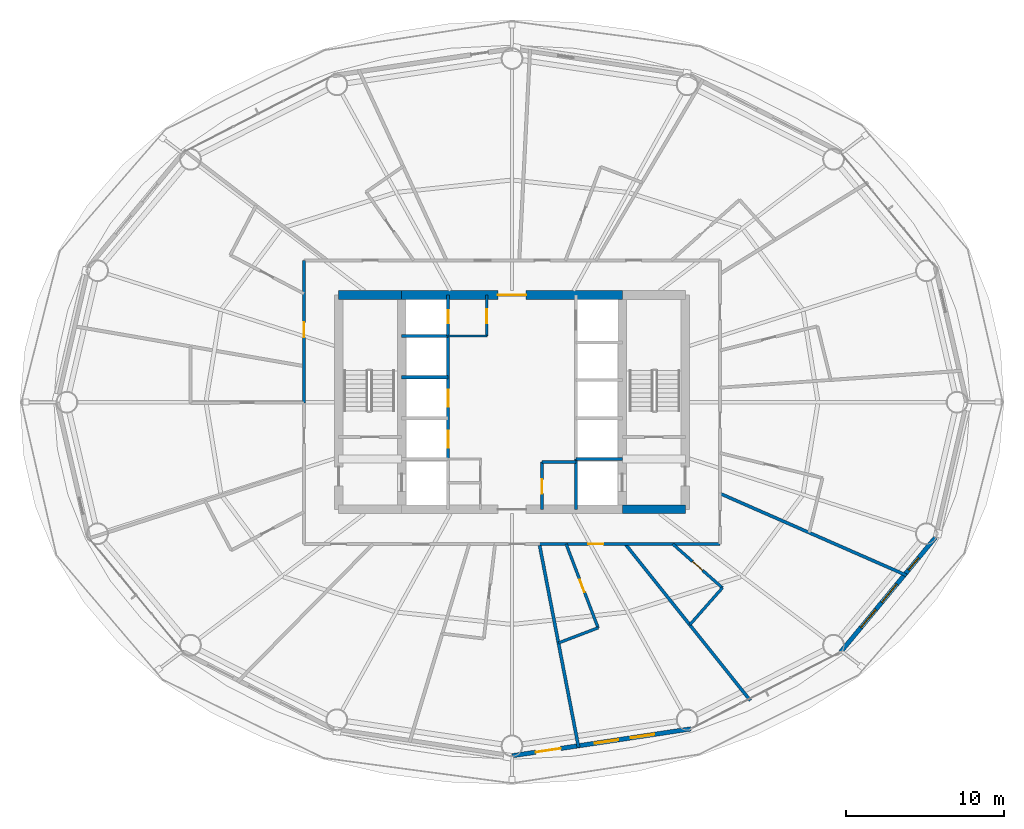
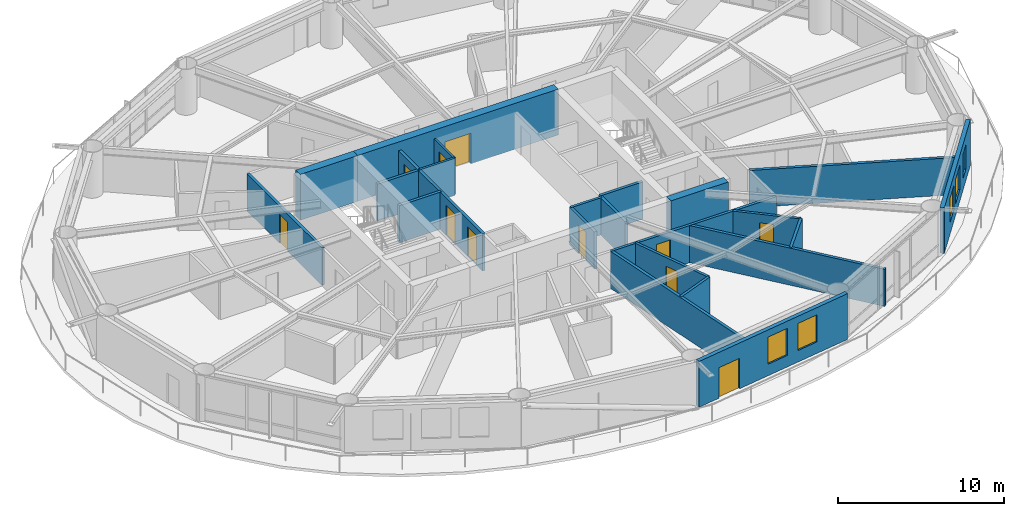
# One storey, part 19 of 24: 24 walls, 11 doors, 5 windows, 16 openings.
"""IFC4 building model written with IfcOpenShell, lengths in metres."""

import ifcopenshell
import ifcopenshell.guid

model = None  # the IFC model being written
_history = None  # IfcOwnerHistory: only IFC2X3 demands one
_inside = {}  # id of a spatial element -> (the spatial element, [elements in it])
_under = {}  # id of a project, library or spatial element -> (it, [spatial elements below it])
_declared = {}  # id of a project -> (the project, [libraries it declares])
_typed = {}  # id of a type object -> (the type object, [elements of that type])
_made_of = {}  # id of a material, layer set ... -> (it, [elements and type objects made of it])


def new_model(schema):
    """Start an empty IFC model of exactly this schema.

    Asked for "IFC4X3", IfcOpenShell would pick the latest addendum, in which some entities
    have other attributes; the version numbers below select the first issue.
    IFC2X3 requires an IfcOwnerHistory on every rooted entity: one is made here for all.
    """
    global model, _history
    if schema == "IFC4X3":
        model = ifcopenshell.file(schema_version=(4, 3, 0, 0))
    else:
        model = ifcopenshell.file(schema=schema)
    _inside.clear()
    _under.clear()
    _declared.clear()
    _typed.clear()
    _made_of.clear()
    _history = None
    if model.schema == "IFC2X3":
        org = make("IfcOrganization", Name="unknown")
        user = make(
            "IfcPersonAndOrganization",
            ThePerson=make("IfcPerson", FamilyName="unknown"),
            TheOrganization=org,
        )
        app = make(
            "IfcApplication",
            ApplicationDeveloper=org,
            Version="unknown",
            ApplicationFullName="unknown",
            ApplicationIdentifier="unknown",
        )
        _history = make(
            "IfcOwnerHistory",
            OwningUser=user,
            OwningApplication=app,
            ChangeAction="ADDED",
            CreationDate=0,
        )
    return model


def make(cls, **values):
    """One entity of the class cls with the attributes given. An attribute that is None is left unset."""
    return model.create_entity(
        cls, **{name: value for name, value in values.items() if value is not None}
    )


def rooted(cls, **values):
    """An entity with a GlobalId (a new one), such as an element, a storey or a relation."""
    return make(cls, GlobalId=ifcopenshell.guid.new(), OwnerHistory=_history, **values)


def si_unit(unit_type, name, prefix=None):
    """IfcSIUnit, for example si_unit("LENGTHUNIT", "METRE", prefix="MILLI")."""
    return make("IfcSIUnit", UnitType=unit_type, Prefix=prefix, Name=name)


def assignment(units):
    """IfcUnitAssignment: the units of a project."""
    return None if units is None else make("IfcUnitAssignment", Units=units)


def point(xyz):
    """IfcCartesianPoint."""
    return None if xyz is None else make("IfcCartesianPoint", Coordinates=xyz)


def direction(xyz):
    """IfcDirection."""
    return None if xyz is None else make("IfcDirection", DirectionRatios=xyz)


def frame(location, z_axis=None, x_axis=None):
    """IfcAxis2Placement3D, a coordinate frame: its origin and axes. An axis left out is left unset."""
    return make(
        "IfcAxis2Placement3D",
        Location=point(location),
        Axis=direction(z_axis),
        RefDirection=direction(x_axis),
    )


def frame_2d(location, x_axis=None):
    """IfcAxis2Placement2D, a coordinate frame in the plane: its origin and x axis."""
    return make(
        "IfcAxis2Placement2D", Location=point(location), RefDirection=direction(x_axis)
    )


def origin():
    """The frame at (0, 0, 0) with its axes left unset."""
    return frame((0.0, 0.0, 0.0))


def place(relative_to, where):
    """IfcLocalPlacement: puts the frame where relative to a parent placement (None: the world)."""
    return make(
        "IfcLocalPlacement", PlacementRelTo=relative_to, RelativePlacement=where
    )


def context(
    kind, dimensions, precision=None, world=None, true_north=None, identifier=None
):
    """IfcGeometricRepresentationContext, for example the 3D "Model" context."""
    return make(
        "IfcGeometricRepresentationContext",
        ContextIdentifier=identifier,
        ContextType=kind,
        CoordinateSpaceDimension=dimensions,
        Precision=precision,
        WorldCoordinateSystem=world,
        TrueNorth=true_north,
    )


def subcontext(parent, identifier, kind, view, scale=None):
    """IfcGeometricRepresentationSubContext, for example "Body" below "Model"."""
    return make(
        "IfcGeometricRepresentationSubContext",
        ContextIdentifier=identifier,
        ContextType=kind,
        ParentContext=parent,
        TargetScale=scale,
        TargetView=view,
    )


def project(units=None, contexts=None):
    """IfcProject with its units and contexts."""
    return rooted(
        "IfcProject",
        Name="project",
        RepresentationContexts=contexts,
        UnitsInContext=assignment(units),
    )


def spatial(cls, under=None, at=None, **own):
    """A site, building, storey or space (cls), placed at a placement, below another one or the project."""
    s = rooted(cls, ObjectPlacement=at, **own)
    if under is not None:
        _under.setdefault(under.id(), (under, []))[1].append(s)
    return s


def profile(cls, at=None, kind="AREA", **sizes):
    """A parametric profile (cls). Its sizes go by their IFC names, for example OverallWidth=200.0."""
    return make(cls, ProfileType=kind, Position=at, **sizes)


def rectangle(**sizes):
    """IfcRectangleProfileDef."""
    return profile("IfcRectangleProfileDef", **sizes)


def extrude(swept, where, along, depth):
    """IfcExtrudedAreaSolid: the profile swept, set in the frame where, extruded along a direction by depth."""
    return make(
        "IfcExtrudedAreaSolid",
        SweptArea=swept,
        Position=where,
        ExtrudedDirection=direction(along),
        Depth=depth,
    )


def shape(context_of_items, identifier, shape_type, items):
    """IfcShapeRepresentation: the items that make up one representation, for example the "Body"."""
    return make(
        "IfcShapeRepresentation",
        ContextOfItems=context_of_items,
        RepresentationIdentifier=identifier,
        RepresentationType=shape_type,
        Items=items,
    )


def material(Name=None, Category=None):
    """IfcMaterial."""
    return make("IfcMaterial", Name=Name, Category=Category)


def layer(
    of_material, thickness, ventilated=None, Name=None, Category=None, Priority=None
):
    """IfcMaterialLayer: one layer of a wall or slab, of a material (None: an air gap)."""
    return make(
        "IfcMaterialLayer",
        Material=of_material,
        LayerThickness=thickness,
        IsVentilated=ventilated,
        Name=Name,
        Category=Category,
        Priority=Priority,
    )


def layer_set(layers, Name=None):
    """IfcMaterialLayerSet."""
    return make("IfcMaterialLayerSet", MaterialLayers=layers, LayerSetName=Name)


def made_of(thing, what):
    """Note that an element or type object is made of a material, layer set ...; save() writes the relation."""
    if what is not None:
        _made_of.setdefault(what.id(), (what, []))[1].append(thing)
    return thing


def type_object(cls, material=None, **own):
    """A type object (cls), such as IfcWallType, which elements share."""
    return made_of(rooted(cls, **own), material)


def element(
    cls,
    number,
    at=None,
    inside=None,
    cuts=None,
    type_object=None,
    material=None,
    context=None,
    identifier="Body",
    shape_type=None,
    held_by="IfcProductDefinitionShape",
    body=None,
    shapes=None,
    **own,
):
    """One element of the class cls, such as IfcWall. Its Tag is "e" and its number.

    at: its placement. inside: the storey or other place that contains it. cuts: it is an
    opening in that element (IfcRelVoidsElement). A single representation is given by context,
    identifier, shape_type and body (its items); several are given by shapes. held_by: the class
    of the entity that holds the representations. save() writes the other relations.
    """
    e = rooted(cls, Tag="e%d" % number, ObjectPlacement=at, **own)
    if body is not None:
        shapes = [shape(context, identifier, shape_type, body)]
    if shapes is not None:
        e.Representation = make(held_by, Representations=shapes)
    if inside is not None:
        _inside.setdefault(inside.id(), (inside, []))[1].append(e)
    if cuts is not None:
        rooted(
            "IfcRelVoidsElement", RelatingBuildingElement=cuts, RelatedOpeningElement=e
        )
    if type_object is not None:
        _typed.setdefault(type_object.id(), (type_object, []))[1].append(e)
    return made_of(e, material)


def fill(opening, filler):
    """IfcRelFillsElement: the door or window that sits in an opening."""
    return rooted(
        "IfcRelFillsElement",
        RelatingOpeningElement=opening,
        RelatedBuildingElement=filler,
    )


def aggregate(whole, parts):
    """IfcRelAggregates: a whole, such as a stair, and the parts it consists of."""
    return rooted("IfcRelAggregates", RelatingObject=whole, RelatedObjects=parts)


def save(model, path):
    """Write the relations noted so far, then the file.

    IfcRelAggregates (storeys below a building ...), IfcRelContainedInSpatialStructure (elements
    in a storey), IfcRelDefinesByType, IfcRelAssociatesMaterial and IfcRelDeclares: one each for
    every whole, place, type object, material and project.
    """
    for whole, parts in _under.values():
        aggregate(whole, parts)
    for where, things in _inside.values():
        rooted(
            "IfcRelContainedInSpatialStructure",
            RelatedElements=things,
            RelatingStructure=where,
        )
    for kind, things in _typed.values():
        rooted("IfcRelDefinesByType", RelatedObjects=things, RelatingType=kind)
    for what, things in _made_of.values():
        rooted("IfcRelAssociatesMaterial", RelatedObjects=things, RelatingMaterial=what)
    for by, libraries in _declared.values():
        rooted("IfcRelDeclares", RelatingContext=by, RelatedDefinitions=libraries)
    model.write(path)


model = new_model("IFC4")

# Units and contexts
model_context = context("Model", 3, precision=1e-05, world=origin(), true_north=direction((0.0, 1.0)))
body_context = subcontext(model_context, "Body", "Model", "MODEL_VIEW")
ifc_project = project(units=[si_unit("LENGTHUNIT", "METRE"), si_unit("AREAUNIT", "SQUARE_METRE"), si_unit("VOLUMEUNIT", "CUBIC_METRE"), si_unit("PLANEANGLEUNIT", "RADIAN"), si_unit("MASSUNIT", "GRAM", prefix="KILO")], contexts=[model_context])

# Site, building, storey
site_placement = place(None, origin())
site = spatial("IfcSite", under=ifc_project, at=site_placement, CompositionType="ELEMENT")
building_placement = place(site_placement, origin())
building = spatial("IfcBuilding", under=site, at=building_placement, Name="Sarneth Arch Tower", CompositionType="ELEMENT")
storey_placement = place(building_placement, frame((0.0, 0.0, 87.60009765625)))
storey = spatial("IfcBuildingStorey", under=building, at=storey_placement, Name="L21", CompositionType="ELEMENT", Elevation=87.60009765625)

# Walls
ifc_material_1 = material(Name="Concrete C60/75", Category="concrete")
ifc_layer_1 = layer(ifc_material_1, 0.550048828125)
ifc_layer_set_1 = layer_set([ifc_layer_1], Name="Concrete C60/75")
wall_type_1 = type_object("IfcWallType", Name="WALL-CORE-550", PredefinedType="SHEAR", material=ifc_layer_set_1)
for number, where, z_axis, x_axis, name in (
    (1, (55.0, 35.199951171875, 0.0), (0.0, 0.0, 1.0), (1.0, 0.0, 0.0), "L21 Core shear wall S-E"),
    (2, (37.0, 48.800048828125, 0.0), (0.0, 0.0, 1.0), (1.0, 0.0, 0.0), "L21 Core shear wall N-W"),
):
    element("IfcWall", number, at=place(storey_placement, frame(where, z_axis=z_axis, x_axis=x_axis)), inside=storey, type_object=wall_type_1, Name=name, PredefinedType="SHEAR", context=body_context, shape_type="SweptSolid", body=[
        extrude(rectangle(XDim=4.0, YDim=0.550048828125, at=frame_2d((2.0, 0.0))), origin(), (0.0, 0.0, 1.0), 3.3798828125),
    ])

# Wall, opening, door
wall_1_placement = place(storey_placement, frame((41.0, 48.800048828125, 0.0), z_axis=(0.0, 0.0, 1.0), x_axis=(1.0, 0.0, 0.0)))
wall_1 = element("IfcWall", 3, at=wall_1_placement, inside=storey, type_object=wall_type_1, Name="L21 Core shear wall N-M", PredefinedType="SHEAR", context=body_context, shape_type="SweptSolid", body=[
    extrude(rectangle(XDim=14.0, YDim=0.550048828125, at=frame_2d((7.0, 0.0))), origin(), (0.0, 0.0, 1.0), 3.3798828125),
])
opening_1_placement = place(wall_1_placement, frame((6.10009765625, 0.0, 0.0)))
opening_1 = element("IfcOpeningElement", 4, at=opening_1_placement, cuts=wall_1, Name="Opening FD-01", PredefinedType="OPENING", context=body_context, shape_type="SweptSolid", body=[
    extrude(rectangle(XDim=1.800048828125, YDim=2.25, at=frame_2d((0.89990234375, 1.125))), frame((0.0, 0.284912109375, 0.0), z_axis=(0.0, -1.0, 0.0), x_axis=(1.0, 0.0, 0.0)), (0.0, 0.0, 1.0), 0.570068359375),
])
ifc_material_2 = material(Name="Galvanised Steel S275 fire door set", Category="steel")
door_type_1 = type_object("IfcDoorType", Name="DR-FD90-1800", OperationType="DOUBLE_DOOR_SINGLE_SWING", PredefinedType="DOOR", material=ifc_material_2)
door_1_placement = place(opening_1_placement, origin())
door_1 = element("IfcDoor", 5, at=door_1_placement, inside=storey, type_object=door_type_1, Name="L21 Central lift lobby north door", OperationType="DOUBLE_DOOR_SINGLE_SWING", OverallHeight=2.25, OverallWidth=1.800048828125, PredefinedType="DOOR", context=body_context, shape_type="SweptSolid", body=[
    extrude(rectangle(XDim=1.800048828125, YDim=2.25, at=frame_2d((0.89990234375, 1.125))), frame((0.0, 0.02490234375, 0.0), z_axis=(0.0, -1.0, 0.0), x_axis=(1.0, 0.0, 0.0)), (0.0, 0.0, 1.0), 0.050048828125),
])
fill(opening_1, door_1)

ifc_material_3 = material(Name="Double steel-stud corridor fire wall", Category="steel")
ifc_layer_2 = layer(ifc_material_3, 0.18994140625)
ifc_layer_set_2 = layer_set([ifc_layer_2], Name="Double steel-stud corridor fire wall")
wall_type_2 = type_object("IfcWallType", Name="WALL-CORR-190", PredefinedType="PARTITIONING", material=ifc_layer_set_2)
wall_2_placement = place(storey_placement, frame((34.800048828125, 41.939697265625, 0.0), z_axis=(0.0, 0.0, 1.0), x_axis=(0.0, 1.0, 0.0)))
wall_2 = element("IfcWall", 6, at=wall_2_placement, inside=storey, type_object=wall_type_2, Name="L21 Interior partition W-L21-TP-011", PredefinedType="PARTITIONING", context=body_context, shape_type="SweptSolid", body=[
    extrude(rectangle(XDim=9.060302734375, YDim=0.18994140625, at=frame_2d((4.5302734375, 0.0))), origin(), (0.0, 0.0, 1.0), 2.739990234375),
])
opening_2_placement = place(wall_2_placement, frame((4.1787109375, 0.0, 0.0)))
opening_2 = element("IfcOpeningElement", 7, at=opening_2_placement, cuts=wall_2, Name="Opening FD-09", PredefinedType="OPENING", context=body_context, shape_type="SweptSolid", body=[
    extrude(rectangle(XDim=0.949951171875, YDim=2.14990234375, at=frame_2d((0.47509765625, 1.074951171875))), frame((0.0, 0.10498046875, 0.0), z_axis=(0.0, -1.0, 0.0), x_axis=(1.0, 0.0, 0.0)), (0.0, 0.0, 1.0), 0.2099609375),
])
ifc_material_4 = material(Name="Hardwood timber hotel entrance fire door", Category="wood")
door_type_2 = type_object("IfcDoorType", Name="DR-FD60-950", OperationType="SINGLE_SWING_RIGHT", PredefinedType="DOOR", material=ifc_material_4)
door_2_placement = place(opening_2_placement, origin())
door_2 = element("IfcDoor", 8, at=door_2_placement, inside=storey, type_object=door_type_2, Name="L21 Interior door DR-L21-KEY-06", OperationType="SINGLE_SWING_LEFT", OverallHeight=2.14990234375, OverallWidth=0.949951171875, PredefinedType="DOOR", context=body_context, shape_type="SweptSolid", body=[
    extrude(rectangle(XDim=0.949951171875, YDim=2.14990234375, at=frame_2d((0.47509765625, 1.074951171875))), frame((0.0, 0.02490234375, 0.0), z_axis=(0.0, -1.0, 0.0), x_axis=(1.0, 0.0, 0.0)), (0.0, 0.0, 1.0), 0.050048828125),
])
fill(opening_2, door_2)

wall_3_placement = place(storey_placement, frame((61.199951171875, 33.0, 0.0), z_axis=(0.0, 0.0, 1.0), x_axis=(-1.0, 0.0, 0.0)))
wall_3 = element("IfcWall", 9, at=wall_3_placement, inside=storey, type_object=wall_type_2, Name="L21 Interior partition W-L21-TP-022", PredefinedType="PARTITIONING", context=body_context, shape_type="SweptSolid", body=[
    extrude(rectangle(XDim=11.49560546875, YDim=0.18994140625, at=frame_2d((5.747802734375, 0.0))), origin(), (0.0, 0.0, 1.0), 2.739990234375),
])
opening_3_placement = place(wall_3_placement, frame((7.40966796875, 0.0, 0.0)))
opening_3 = element("IfcOpeningElement", 10, at=opening_3_placement, cuts=wall_3, Name="Opening FD-09", PredefinedType="OPENING", context=body_context, shape_type="SweptSolid", body=[
    extrude(rectangle(XDim=0.949951171875, YDim=2.14990234375, at=frame_2d((0.47509765625, 1.074951171875))), frame((0.0, 0.10498046875, 0.0), z_axis=(0.0, -1.0, 0.0), x_axis=(1.0, 0.0, 0.0)), (0.0, 0.0, 1.0), 0.2099609375),
])
door_3_placement = place(opening_3_placement, origin())
door_3 = element("IfcDoor", 11, at=door_3_placement, inside=storey, type_object=door_type_2, Name="L21 Interior door DR-L21-KEY-11", OperationType="SINGLE_SWING_RIGHT", OverallHeight=2.14990234375, OverallWidth=0.949951171875, PredefinedType="DOOR", context=body_context, shape_type="SweptSolid", body=[
    extrude(rectangle(XDim=0.949951171875, YDim=2.14990234375, at=frame_2d((0.47509765625, 1.074951171875))), frame((0.0, 0.02490234375, 0.0), z_axis=(0.0, -1.0, 0.0), x_axis=(1.0, 0.0, 0.0)), (0.0, 0.0, 1.0), 0.050048828125),
])
fill(opening_3, door_3)

# Wall, openings, door, windows
ifc_material_5 = material(Name="Extruded terracotta rainscreen on Concrete C40/50 backing", Category="masonry")
ifc_layer_3 = layer(ifc_material_5, 0.280029296875)
ifc_layer_set_3 = layer_set([ifc_layer_3], Name="Extruded terracotta rainscreen on Concrete C40/50 backing")
wall_type_3 = type_object("IfcWallType", Name="WALL-EXT-TERRA-280", PredefinedType="SOLIDWALL", material=ifc_layer_set_3)
wall_4_placement = place(storey_placement, frame((48.0, 19.570068359375, 0.0), z_axis=(0.0, 0.0, 1.0), x_axis=(0.988877774656, 0.148730450117, 0.0)))
wall_4 = element("IfcWall", 12, at=wall_4_placement, inside=storey, type_object=wall_type_3, Name="L21 Terracotta perimeter wall 13", PredefinedType="SOLIDWALL", context=body_context, shape_type="SweptSolid", body=[
    extrude(rectangle(XDim=11.47900390625, YDim=0.280029296875, at=frame_2d((5.739501953125, 0.0))), origin(), (0.0, 0.0, 1.0), 3.3798828125),
])
opening_4_placement = place(wall_4_placement, frame((1.523681640625, 0.0, 0.0)))
opening_4 = element("IfcOpeningElement", 13, at=opening_4_placement, cuts=wall_4, Name="Opening BD-1", PredefinedType="OPENING", context=body_context, shape_type="SweptSolid", body=[
    extrude(rectangle(XDim=1.60009765625, YDim=2.25, at=frame_2d((0.800048828125, 1.125))), frame((0.0, 0.14990234375, 0.0), z_axis=(0.0, -1.0, 0.0), x_axis=(1.0, 0.0, 0.0)), (0.0, 0.0, 1.0), 0.300048828125),
])
opening_5_placement = place(wall_4_placement, frame((5.31494140625, 0.0, 0.85009765625)))
opening_5 = element("IfcOpeningElement", 14, at=opening_5_placement, cuts=wall_4, Name="Opening W-06", PredefinedType="OPENING", context=body_context, shape_type="SweptSolid", body=[
    extrude(rectangle(XDim=1.5, YDim=2.0, at=frame_2d((0.75, 1.0))), frame((0.0, 0.14990234375, 0.0), z_axis=(0.0, -1.0, 0.0), x_axis=(1.0, 0.0, 0.0)), (0.0, 0.0, 1.0), 0.300048828125),
])
opening_6_placement = place(wall_4_placement, frame((7.62109375, 0.0, 0.85009765625)))
opening_6 = element("IfcOpeningElement", 15, at=opening_6_placement, cuts=wall_4, Name="Opening W-06", PredefinedType="OPENING", context=body_context, shape_type="SweptSolid", body=[
    extrude(rectangle(XDim=1.5, YDim=2.0, at=frame_2d((0.75, 1.0))), frame((0.0, 0.14990234375, 0.0), z_axis=(0.0, -1.0, 0.0), x_axis=(1.0, 0.0, 0.0)), (0.0, 0.0, 1.0), 0.300048828125),
])
ifc_material_6 = material(Name="Thermally broken Aluminium 6063-T6 and laminated safety glass", Category="aluminium")
door_type_3 = type_object("IfcDoorType", Name="DR-BALC-GLZ-1600", OperationType="DOUBLE_DOOR_SINGLE_SWING", PredefinedType="DOOR", material=ifc_material_6)
door_4_placement = place(opening_4_placement, origin())
door_4 = element("IfcDoor", 16, at=door_4_placement, inside=storey, type_object=door_type_3, Name="L21 Balcony glazed door 13", OperationType="DOUBLE_DOOR_SINGLE_SWING", OverallHeight=2.25, OverallWidth=1.60009765625, PredefinedType="DOOR", context=body_context, shape_type="SweptSolid", body=[
    extrude(rectangle(XDim=1.60009765625, YDim=2.25, at=frame_2d((0.800048828125, 1.125))), frame((0.0, 0.02490234375, 0.0), z_axis=(0.0, -1.0, 0.0), x_axis=(1.0, 0.0, 0.0)), (0.0, 0.0, 1.0), 0.050048828125),
])
fill(opening_4, door_4)
ifc_material_7 = material(Name="Thermally broken Aluminium 6063-T6 and low-e laminated IGU", Category="aluminium")
window_type_1 = type_object("IfcWindowType", Name="WIN-TWR-1500x2000", PartitioningType="SINGLE_PANEL", PredefinedType="WINDOW", material=ifc_material_7)
window_1_placement = place(opening_5_placement, origin())
window_1 = element("IfcWindow", 17, at=window_1_placement, inside=storey, type_object=window_type_1, Name="L21 Exterior window 13A", OverallHeight=2.0, OverallWidth=1.5, PartitioningType="SINGLE_PANEL", PredefinedType="WINDOW", context=body_context, shape_type="SweptSolid", body=[
    extrude(rectangle(XDim=1.5, YDim=2.0, at=frame_2d((0.75, 1.0))), frame((0.0, 0.030029296875, 0.0), z_axis=(0.0, -1.0, 0.0), x_axis=(1.0, 0.0, 0.0)), (0.0, 0.0, 1.0), 0.06005859375),
])
fill(opening_5, window_1)
window_2_placement = place(opening_6_placement, origin())
window_2 = element("IfcWindow", 18, at=window_2_placement, inside=storey, type_object=window_type_1, Name="L21 Exterior window 13B", OverallHeight=2.0, OverallWidth=1.5, PartitioningType="SINGLE_PANEL", PredefinedType="WINDOW", context=body_context, shape_type="SweptSolid", body=[
    extrude(rectangle(XDim=1.5, YDim=2.0, at=frame_2d((0.75, 1.0))), frame((0.0, 0.030029296875, 0.0), z_axis=(0.0, -1.0, 0.0), x_axis=(1.0, 0.0, 0.0)), (0.0, 0.0, 1.0), 0.06005859375),
])
fill(opening_6, window_2)

# Wall, openings, windows
wall_5_placement = place(storey_placement, frame((68.840087890625, 26.1396484375, 0.0), z_axis=(0.0, 0.0, 1.0), x_axis=(0.637505817448, 0.770445541696, 0.0)))
wall_5 = element("IfcWall", 19, at=wall_5_placement, inside=storey, type_object=wall_type_3, Name="L21 Terracotta perimeter wall 15", PredefinedType="SOLIDWALL", context=body_context, shape_type="SweptSolid", body=[
    extrude(rectangle(XDim=9.445068359375, YDim=0.280029296875, at=frame_2d((4.72265625, 0.0))), origin(), (0.0, 0.0, 1.0), 3.3798828125),
])
opening_7_placement = place(wall_5_placement, frame((2.033203125, 0.0, 0.85009765625)))
opening_7 = element("IfcOpeningElement", 20, at=opening_7_placement, cuts=wall_5, Name="Opening W-07", PredefinedType="OPENING", context=body_context, shape_type="SweptSolid", body=[
    extrude(rectangle(XDim=1.5, YDim=1.800048828125, at=frame_2d((0.75, 0.89990234375))), frame((0.0, 0.14990234375, 0.0), z_axis=(0.0, -1.0, 0.0), x_axis=(1.0, 0.0, 0.0)), (0.0, 0.0, 1.0), 0.300048828125),
])
opening_8_placement = place(wall_5_placement, frame((4.10546875, 0.0, 0.85009765625)))
opening_8 = element("IfcOpeningElement", 21, at=opening_8_placement, cuts=wall_5, Name="Opening W-07", PredefinedType="OPENING", context=body_context, shape_type="SweptSolid", body=[
    extrude(rectangle(XDim=1.5, YDim=1.800048828125, at=frame_2d((0.75, 0.89990234375))), frame((0.0, 0.14990234375, 0.0), z_axis=(0.0, -1.0, 0.0), x_axis=(1.0, 0.0, 0.0)), (0.0, 0.0, 1.0), 0.300048828125),
])
opening_9_placement = place(wall_5_placement, frame((6.7724609375, 0.0, 0.85009765625)))
opening_9 = element("IfcOpeningElement", 22, at=opening_9_placement, cuts=wall_5, Name="Opening W-11", PredefinedType="OPENING", context=body_context, shape_type="SweptSolid", body=[
    extrude(rectangle(XDim=1.0, YDim=1.800048828125, at=frame_2d((0.5, 0.89990234375))), frame((0.0, 0.14990234375, 0.0), z_axis=(0.0, -1.0, 0.0), x_axis=(1.0, 0.0, 0.0)), (0.0, 0.0, 1.0), 0.300048828125),
])
ifc_material_8 = material(Name="Thermally broken Aluminium 6063-T6 and low-e laminated IGU", Category="aluminium")
window_type_2 = type_object("IfcWindowType", Name="WIN-TWR-1000x1800", PartitioningType="SINGLE_PANEL", PredefinedType="WINDOW", material=ifc_material_8)
window_3_placement = place(opening_9_placement, origin())
window_3 = element("IfcWindow", 23, at=window_3_placement, inside=storey, type_object=window_type_2, Name="L21 Exterior window 15C", OverallHeight=1.800048828125, OverallWidth=1.0, PartitioningType="SINGLE_PANEL", PredefinedType="WINDOW", context=body_context, shape_type="SweptSolid", body=[
    extrude(rectangle(XDim=1.0, YDim=1.800048828125, at=frame_2d((0.5, 0.89990234375))), frame((0.0, 0.030029296875, 0.0), z_axis=(0.0, -1.0, 0.0), x_axis=(1.0, 0.0, 0.0)), (0.0, 0.0, 1.0), 0.06005859375),
])
fill(opening_9, window_3)
ifc_material_9 = material(Name="Thermally broken Aluminium 6063-T6 and low-e laminated IGU", Category="aluminium")
window_type_3 = type_object("IfcWindowType", Name="WIN-TWR-1500x1800", PartitioningType="SINGLE_PANEL", PredefinedType="WINDOW", material=ifc_material_9)
window_4_placement = place(opening_7_placement, origin())
window_4 = element("IfcWindow", 24, at=window_4_placement, inside=storey, type_object=window_type_3, Name="L21 Exterior window 15A", OverallHeight=1.800048828125, OverallWidth=1.5, PartitioningType="SINGLE_PANEL", PredefinedType="WINDOW", context=body_context, shape_type="SweptSolid", body=[
    extrude(rectangle(XDim=1.5, YDim=1.800048828125, at=frame_2d((0.75, 0.89990234375))), frame((0.0, 0.030029296875, 0.0), z_axis=(0.0, -1.0, 0.0), x_axis=(1.0, 0.0, 0.0)), (0.0, 0.0, 1.0), 0.06005859375),
])
fill(opening_7, window_4)
window_5_placement = place(opening_8_placement, origin())
window_5 = element("IfcWindow", 25, at=window_5_placement, inside=storey, type_object=window_type_3, Name="L21 Exterior window 15B", OverallHeight=1.800048828125, OverallWidth=1.5, PartitioningType="SINGLE_PANEL", PredefinedType="WINDOW", context=body_context, shape_type="SweptSolid", body=[
    extrude(rectangle(XDim=1.5, YDim=1.800048828125, at=frame_2d((0.75, 0.89990234375))), frame((0.0, 0.030029296875, 0.0), z_axis=(0.0, -1.0, 0.0), x_axis=(1.0, 0.0, 0.0)), (0.0, 0.0, 1.0), 0.06005859375),
])
fill(opening_8, window_5)

# Wall
ifc_material_10 = material(Name="Acoustic gypsum stud partition", Category="gypsum")
ifc_layer_4 = layer(ifc_material_10, 0.14990234375)
ifc_layer_set_4 = layer_set([ifc_layer_4], Name="Acoustic gypsum stud partition")
wall_type_4 = type_object("IfcWallType", Name="WALL-PART-150", PredefinedType="PARTITIONING", material=ifc_layer_set_4)
wall_6_placement = place(storey_placement, frame((43.949951171875, 46.199951171875, 0.0), z_axis=(0.0, 0.0, 1.0), x_axis=(1.0, 0.0, 0.0)))
element("IfcWall", 26, at=wall_6_placement, inside=storey, type_object=wall_type_4, Name="L21 Interior partition W-L21-CSUP3-S", PredefinedType="PARTITIONING", context=body_context, shape_type="SweptSolid", body=[
    extrude(rectangle(XDim=2.449951171875, YDim=0.14990234375, at=frame_2d((1.22509765625, 0.0))), origin(), (0.0, 0.0, 1.0), 2.739990234375),
])

# Wall, opening, door
wall_7_placement = place(storey_placement, frame((46.39990234375, 46.199951171875, 0.0), z_axis=(0.0, 0.0, 1.0), x_axis=(0.0, 1.0, 0.0)))
wall_7 = element("IfcWall", 27, at=wall_7_placement, inside=storey, type_object=wall_type_4, Name="L21 Interior partition W-L21-CSUP3-E", PredefinedType="PARTITIONING", context=body_context, shape_type="SweptSolid", body=[
    extrude(rectangle(XDim=2.60009765625, YDim=0.14990234375, at=frame_2d((1.300048828125, 0.0))), origin(), (0.0, 0.0, 1.0), 2.739990234375),
])
opening_10_placement = place(wall_7_placement, frame((0.800048828125, 0.0, 0.0)))
opening_10 = element("IfcOpeningElement", 28, at=opening_10_placement, cuts=wall_7, Name="Opening FD-10", PredefinedType="OPENING", context=body_context, shape_type="SweptSolid", body=[
    extrude(rectangle(XDim=0.89990234375, YDim=2.14990234375, at=frame_2d((0.449951171875, 1.074951171875))), frame((0.0, 0.0849609375, 0.0), z_axis=(0.0, -1.0, 0.0), x_axis=(1.0, 0.0, 0.0)), (0.0, 0.0, 1.0), 0.169921875),
])
ifc_material_11 = material(Name="Galvanised Steel S275 riser/service fire door", Category="steel")
door_type_4 = type_object("IfcDoorType", Name="DR-FD60-900", OperationType="SINGLE_SWING_LEFT", PredefinedType="DOOR", material=ifc_material_11)
door_5_placement = place(opening_10_placement, origin())
door_5 = element("IfcDoor", 29, at=door_5_placement, inside=storey, type_object=door_type_4, Name="L21 Interior door DR-L21-CSUP3", OperationType="SINGLE_SWING_LEFT", OverallHeight=2.14990234375, OverallWidth=0.89990234375, PredefinedType="DOOR", context=body_context, shape_type="SweptSolid", body=[
    extrude(rectangle(XDim=0.89990234375, YDim=2.14990234375, at=frame_2d((0.449951171875, 1.074951171875))), frame((0.0, 0.02490234375, 0.0), z_axis=(0.0, -1.0, 0.0), x_axis=(1.0, 0.0, 0.0)), (0.0, 0.0, 1.0), 0.050048828125),
])
fill(opening_10, door_5)

# Wall
ifc_material_12 = material(Name="Moisture-resistant plumbing chase wall", Category="gypsum")
ifc_layer_5 = layer(ifc_material_12, 0.179931640625)
ifc_layer_set_5 = layer_set([ifc_layer_5], Name="Moisture-resistant plumbing chase wall")
wall_type_5 = type_object("IfcWallType", Name="WALL-PLUMB-180", PredefinedType="PLUMBINGWALL", material=ifc_layer_set_5)
wall_8_placement = place(storey_placement, frame((49.89990234375, 38.199951171875, 0.0), z_axis=(0.0, 0.0, 1.0), x_axis=(1.0, 0.0, 0.0)))
element("IfcWall", 30, at=wall_8_placement, inside=storey, type_object=wall_type_5, Name="L21 Interior partition W-L21-AWC-N", PredefinedType="PLUMBINGWALL", context=body_context, shape_type="SweptSolid", body=[
    extrude(rectangle(XDim=2.150146484375, YDim=0.179931640625, at=frame_2d((1.0751953125, 0.0))), origin(), (0.0, 0.0, 1.0), 2.739990234375),
])

# Wall, opening, door
wall_9_placement = place(storey_placement, frame((49.89990234375, 35.199951171875, 0.0), z_axis=(0.0, 0.0, 1.0), x_axis=(0.0, 1.0, 0.0)))
wall_9 = element("IfcWall", 31, at=wall_9_placement, inside=storey, type_object=wall_type_5, Name="L21 Interior partition W-L21-AWC-W", PredefinedType="PLUMBINGWALL", context=body_context, shape_type="SweptSolid", body=[
    extrude(rectangle(XDim=3.0, YDim=0.179931640625, at=frame_2d((1.5, 0.0))), origin(), (0.0, 0.0, 1.0), 2.739990234375),
])
opening_11_placement = place(wall_9_placement, frame((1.0, 0.0, 0.0)))
opening_11 = element("IfcOpeningElement", 32, at=opening_11_placement, cuts=wall_9, Name="Opening ID-01", PredefinedType="OPENING", context=body_context, shape_type="SweptSolid", body=[
    extrude(rectangle(XDim=0.89990234375, YDim=2.10009765625, at=frame_2d((0.449951171875, 1.050048828125))), frame((0.0, 0.099853515625, 0.0), z_axis=(0.0, -1.0, 0.0), x_axis=(1.0, 0.0, 0.0)), (0.0, 0.0, 1.0), 0.199951171875),
])
ifc_material_13 = material(Name="Engineered hardwood flush door", Category="wood")
door_type_5 = type_object("IfcDoorType", Name="DR-INT-900", OperationType="SINGLE_SWING_LEFT", PredefinedType="DOOR", material=ifc_material_13)
door_6_placement = place(opening_11_placement, origin())
door_6 = element("IfcDoor", 33, at=door_6_placement, inside=storey, type_object=door_type_5, Name="L21 Interior door DR-L21-AWC", OperationType="SINGLE_SWING_RIGHT", OverallHeight=2.10009765625, OverallWidth=0.89990234375, PredefinedType="DOOR", context=body_context, shape_type="SweptSolid", body=[
    extrude(rectangle(XDim=0.89990234375, YDim=2.10009765625, at=frame_2d((0.449951171875, 1.050048828125))), frame((0.0, 0.02490234375, 0.0), z_axis=(0.0, -1.0, 0.0), x_axis=(1.0, 0.0, 0.0)), (0.0, 0.0, 1.0), 0.050048828125),
])
fill(opening_11, door_6)

wall_10_placement = place(storey_placement, frame((53.462890625, 27.68798828125, 0.0), z_axis=(0.0, 0.0, 1.0), x_axis=(-0.356604128264, 0.934255583716, 0.0)))
wall_10 = element("IfcWall", 34, at=wall_10_placement, inside=storey, type_object=wall_type_5, Name="L21 Interior partition W-L21-TP-066", PredefinedType="PLUMBINGWALL", context=body_context, shape_type="SweptSolid", body=[
    extrude(rectangle(XDim=5.685791015625, YDim=0.179931640625, at=frame_2d((2.8427734375, 0.0))), origin(), (0.0, 0.0, 1.0), 2.739990234375),
])
opening_12_placement = place(wall_10_placement, frame((2.41796875, 0.0, 0.0)))
opening_12 = element("IfcOpeningElement", 35, at=opening_12_placement, cuts=wall_10, Name="Opening ID-02", PredefinedType="OPENING", context=body_context, shape_type="SweptSolid", body=[
    extrude(rectangle(XDim=0.85009765625, YDim=2.10009765625, at=frame_2d((0.425048828125, 1.050048828125))), frame((0.0, 0.099853515625, 0.0), z_axis=(0.0, -1.0, 0.0), x_axis=(1.0, 0.0, 0.0)), (0.0, 0.0, 1.0), 0.199951171875),
])
ifc_material_14 = material(Name="Moisture-resistant bathroom timber door", Category="wood")
door_type_6 = type_object("IfcDoorType", Name="DR-INT-850", OperationType="SINGLE_SWING_RIGHT", PredefinedType="DOOR", material=ifc_material_14)
door_7_placement = place(opening_12_placement, origin())
door_7 = element("IfcDoor", 36, at=door_7_placement, inside=storey, type_object=door_type_6, Name="L21 Interior door DR-L21-ENS-11", OperationType="SINGLE_SWING_LEFT", OverallHeight=2.10009765625, OverallWidth=0.85009765625, PredefinedType="DOOR", context=body_context, shape_type="SweptSolid", body=[
    extrude(rectangle(XDim=0.85009765625, YDim=2.10009765625, at=frame_2d((0.425048828125, 1.050048828125))), frame((0.0, 0.02490234375, 0.0), z_axis=(0.0, -1.0, 0.0), x_axis=(1.0, 0.0, 0.0)), (0.0, 0.0, 1.0), 0.050048828125),
])
fill(opening_12, door_7)

wall_11_placement = place(storey_placement, frame((61.348388671875, 30.225341796875, 0.0), z_axis=(0.0, 0.0, 1.0), x_axis=(-0.749931272561, 0.661515749197, 0.0)))
wall_11 = element("IfcWall", 37, at=wall_11_placement, inside=storey, type_object=wall_type_5, Name="L21 Interior partition W-L21-TP-070", PredefinedType="PLUMBINGWALL", context=body_context, shape_type="SweptSolid", body=[
    extrude(rectangle(XDim=4.1943359375, YDim=0.179931640625, at=frame_2d((2.09716796875, 0.0))), origin(), (0.0, 0.0, 1.0), 2.739990234375),
])
opening_13_placement = place(wall_11_placement, frame((1.672119140625, 0.0, 0.0)))
opening_13 = element("IfcOpeningElement", 38, at=opening_13_placement, cuts=wall_11, Name="Opening ID-02", PredefinedType="OPENING", context=body_context, shape_type="SweptSolid", body=[
    extrude(rectangle(XDim=0.85009765625, YDim=2.10009765625, at=frame_2d((0.425048828125, 1.050048828125))), frame((0.0, 0.099853515625, 0.0), z_axis=(0.0, -1.0, 0.0), x_axis=(1.0, 0.0, 0.0)), (0.0, 0.0, 1.0), 0.199951171875),
])
door_8_placement = place(opening_13_placement, origin())
door_8 = element("IfcDoor", 39, at=door_8_placement, inside=storey, type_object=door_type_6, Name="L21 Interior door DR-L21-ENS-12", OperationType="SINGLE_SWING_LEFT", OverallHeight=2.10009765625, OverallWidth=0.85009765625, PredefinedType="DOOR", context=body_context, shape_type="SweptSolid", body=[
    extrude(rectangle(XDim=0.85009765625, YDim=2.10009765625, at=frame_2d((0.425048828125, 1.050048828125))), frame((0.0, 0.02490234375, 0.0), z_axis=(0.0, -1.0, 0.0), x_axis=(1.0, 0.0, 0.0)), (0.0, 0.0, 1.0), 0.050048828125),
])
fill(opening_13, door_8)

# Walls
wall_12_placement = place(storey_placement, frame((59.27880859375, 27.879150390625, 0.0), z_axis=(0.0, 0.0, 1.0), x_axis=(0.661515810511, 0.749931218475, 0.0)))
element("IfcWall", 40, at=wall_12_placement, inside=storey, type_object=wall_type_5, Name="L21 Interior partition W-L21-TP-069", PredefinedType="PLUMBINGWALL", context=body_context, shape_type="SweptSolid", body=[
    extrude(rectangle(XDim=3.128662109375, YDim=0.179931640625, at=frame_2d((1.564453125, 0.0))), origin(), (0.0, 0.0, 1.0), 2.739990234375),
])
wall_13_placement = place(storey_placement, frame((50.947509765625, 26.727783203125, 0.0), z_axis=(0.0, 0.0, 1.0), x_axis=(0.934244754769, 0.35663249738, 0.0)))
element("IfcWall", 41, at=wall_13_placement, inside=storey, type_object=wall_type_5, Name="L21 Interior partition W-L21-TP-065", PredefinedType="PLUMBINGWALL", context=body_context, shape_type="SweptSolid", body=[
    extrude(rectangle(XDim=2.6923828125, YDim=0.179931640625, at=frame_2d((1.34619140625, 0.0))), origin(), (0.0, 0.0, 1.0), 2.739990234375),
])
ifc_material_15 = material(Name="Aerated concrete blockwork C25/30", Category="masonry")
ifc_layer_6 = layer(ifc_material_15, 0.199951171875)
ifc_layer_set_6 = layer_set([ifc_layer_6], Name="Aerated concrete blockwork C25/30")
wall_type_6 = type_object("IfcWallType", Name="WALL-SHAFT-200", PredefinedType="SOLIDWALL", material=ifc_layer_set_6)
wall_14_placement = place(storey_placement, frame((52.050048828125, 35.199951171875, 0.0), z_axis=(0.0, 0.0, 1.0), x_axis=(0.0, 1.0, 0.0)))
element("IfcWall", 42, at=wall_14_placement, inside=storey, type_object=wall_type_6, Name="L21 Interior partition W-L21-FL2-W", PredefinedType="SOLIDWALL", context=body_context, shape_type="SweptSolid", body=[
    extrude(rectangle(XDim=3.199951171875, YDim=0.199951171875, at=frame_2d((1.60009765625, 0.0))), origin(), (0.0, 0.0, 1.0), 2.739990234375),
])
for number, where, z_axis, x_axis, name in (
    (43, (52.050048828125, 38.39990234375, 0.0), (0.0, 0.0, 1.0), (1.0, 0.0, 0.0), "L21 Interior partition W-L21-FL2-N"),
    (44, (41.0, 46.199951171875, 0.0), (0.0, 0.0, 1.0), (1.0, 0.0, 0.0), "L21 Interior partition W-L21-RISER-S"),
):
    element("IfcWall", number, at=place(storey_placement, frame(where, z_axis=z_axis, x_axis=x_axis)), inside=storey, type_object=wall_type_6, Name=name, PredefinedType="SOLIDWALL", context=body_context, shape_type="SweptSolid", body=[
        extrude(rectangle(XDim=2.949951171875, YDim=0.199951171875, at=frame_2d((1.47509765625, 0.0))), origin(), (0.0, 0.0, 1.0), 2.739990234375),
    ])

# Wall, opening, door
wall_15_placement = place(storey_placement, frame((43.949951171875, 46.199951171875, 0.0), z_axis=(0.0, 0.0, 1.0), x_axis=(0.0, 1.0, 0.0)))
wall_15 = element("IfcWall", 45, at=wall_15_placement, inside=storey, type_object=wall_type_6, Name="L21 Interior partition W-L21-RISER-E", PredefinedType="SOLIDWALL", context=body_context, shape_type="SweptSolid", body=[
    extrude(rectangle(XDim=2.60009765625, YDim=0.199951171875, at=frame_2d((1.300048828125, 0.0))), origin(), (0.0, 0.0, 1.0), 2.739990234375),
])
opening_14_placement = place(wall_15_placement, frame((0.800048828125, 0.0, 0.0)))
opening_14 = element("IfcOpeningElement", 46, at=opening_14_placement, cuts=wall_15, Name="Opening FD-11", PredefinedType="OPENING", context=body_context, shape_type="SweptSolid", body=[
    extrude(rectangle(XDim=0.85009765625, YDim=2.14990234375, at=frame_2d((0.425048828125, 1.074951171875))), frame((0.0, 0.10986328125, 0.0), z_axis=(0.0, -1.0, 0.0), x_axis=(1.0, 0.0, 0.0)), (0.0, 0.0, 1.0), 0.219970703125),
])
ifc_material_16 = material(Name="Galvanised Steel S275 closet fire door", Category="steel")
door_type_7 = type_object("IfcDoorType", Name="DR-FD60-850", OperationType="SINGLE_SWING_LEFT", PredefinedType="DOOR", material=ifc_material_16)
door_9_placement = place(opening_14_placement, origin())
door_9 = element("IfcDoor", 47, at=door_9_placement, inside=storey, type_object=door_type_7, Name="L21 Lift landing door DR-L21-RISER", OperationType="SINGLE_SWING_LEFT", OverallHeight=2.14990234375, OverallWidth=0.85009765625, PredefinedType="DOOR", context=body_context, shape_type="SweptSolid", body=[
    extrude(rectangle(XDim=0.85009765625, YDim=2.14990234375, at=frame_2d((0.425048828125, 1.074951171875))), frame((0.0, 0.02490234375, 0.0), z_axis=(0.0, -1.0, 0.0), x_axis=(1.0, 0.0, 0.0)), (0.0, 0.0, 1.0), 0.050048828125),
])
fill(opening_14, door_9)

# Wall, openings, doors
wall_16_placement = place(storey_placement, frame((43.949951171875, 38.39990234375, 0.0), z_axis=(0.0, 0.0, 1.0), x_axis=(0.0, 1.0, 0.0)))
wall_16 = element("IfcWall", 48, at=wall_16_placement, inside=storey, type_object=wall_type_6, Name="L21 Interior partition W-L21-WESTBANK-FRONT", PredefinedType="SOLIDWALL", context=body_context, shape_type="SweptSolid", body=[
    extrude(rectangle(XDim=7.800048828125, YDim=0.199951171875, at=frame_2d((3.89990234375, 0.0))), origin(), (0.0, 0.0, 1.0), 2.739990234375),
])
opening_15_placement = place(wall_16_placement, frame((0.699951171875, 0.0, 0.0)))
opening_15 = element("IfcOpeningElement", 49, at=opening_15_placement, cuts=wall_16, Name="Opening LD-1", PredefinedType="OPENING", context=body_context, shape_type="SweptSolid", body=[
    extrude(rectangle(XDim=1.10009765625, YDim=2.199951171875, at=frame_2d((0.550048828125, 1.10009765625))), frame((0.0, 0.10986328125, 0.0), z_axis=(0.0, -1.0, 0.0), x_axis=(1.0, 0.0, 0.0)), (0.0, 0.0, 1.0), 0.219970703125),
])
opening_16_placement = place(wall_16_placement, frame((3.300048828125, 0.0, 0.0)))
opening_16 = element("IfcOpeningElement", 50, at=opening_16_placement, cuts=wall_16, Name="Opening LD-1", PredefinedType="OPENING", context=body_context, shape_type="SweptSolid", body=[
    extrude(rectangle(XDim=1.10009765625, YDim=2.199951171875, at=frame_2d((0.550048828125, 1.10009765625))), frame((0.0, 0.10986328125, 0.0), z_axis=(0.0, -1.0, 0.0), x_axis=(1.0, 0.0, 0.0)), (0.0, 0.0, 1.0), 0.219970703125),
])
ifc_material_17 = material(Name="Brushed Stainless Steel 304 lift landing door", Category="steel")
door_type_8 = type_object("IfcDoorType", Name="DR-LIFT-SLIDE-1100", OperationType="SLIDING_TO_LEFT", PredefinedType="DOOR", material=ifc_material_17)
door_10_placement = place(opening_15_placement, origin())
door_10 = element("IfcDoor", 51, at=door_10_placement, inside=storey, type_object=door_type_8, Name="L21 Lift landing door DR-L21-LD-PL1", OperationType="SLIDING_TO_LEFT", OverallHeight=2.199951171875, OverallWidth=1.10009765625, PredefinedType="DOOR", context=body_context, shape_type="SweptSolid", body=[
    extrude(rectangle(XDim=1.10009765625, YDim=2.199951171875, at=frame_2d((0.550048828125, 1.10009765625))), frame((0.0, 0.02490234375, 0.0), z_axis=(0.0, -1.0, 0.0), x_axis=(1.0, 0.0, 0.0)), (0.0, 0.0, 1.0), 0.050048828125),
])
fill(opening_15, door_10)
door_11_placement = place(opening_16_placement, origin())
door_11 = element("IfcDoor", 52, at=door_11_placement, inside=storey, type_object=door_type_8, Name="L21 Lift landing door DR-L21-LD-PL2", OperationType="SLIDING_TO_RIGHT", OverallHeight=2.199951171875, OverallWidth=1.10009765625, PredefinedType="DOOR", context=body_context, shape_type="SweptSolid", body=[
    extrude(rectangle(XDim=1.10009765625, YDim=2.199951171875, at=frame_2d((0.550048828125, 1.10009765625))), frame((0.0, 0.02490234375, 0.0), z_axis=(0.0, -1.0, 0.0), x_axis=(1.0, 0.0, 0.0)), (0.0, 0.0, 1.0), 0.050048828125),
])
fill(opening_16, door_11)

# Walls
wall_17_placement = place(storey_placement, frame((41.0, 43.580078125, 0.0), z_axis=(0.0, 0.0, 1.0), x_axis=(1.0, 0.0, 0.0)))
element("IfcWall", 53, at=wall_17_placement, inside=storey, type_object=wall_type_6, Name="L21 Interior partition W-L21-WB-DIV-4358", PredefinedType="SOLIDWALL", context=body_context, shape_type="SweptSolid", body=[
    extrude(rectangle(XDim=2.949951171875, YDim=0.199951171875, at=frame_2d((1.47509765625, 0.0))), origin(), (0.0, 0.0, 1.0), 2.739990234375),
])
ifc_material_18 = material(Name="Double steel-stud acoustic drywall", Category="steel")
ifc_layer_7 = layer(ifc_material_18, 0.199951171875)
ifc_layer_set_7 = layer_set([ifc_layer_7], Name="Double steel-stud acoustic drywall")
wall_type_7 = type_object("IfcWallType", Name="WALL-UNIT-200", PredefinedType="PARTITIONING", material=ifc_layer_set_7)
wall_18_placement = place(storey_placement, frame((49.73681640625, 33.0, 0.0), z_axis=(0.0, 0.0, 1.0), x_axis=(0.18949034594, -0.981882584017, 0.0)))
element("IfcWall", 54, at=wall_18_placement, inside=storey, type_object=wall_type_7, Name="L21 Interior partition W-L21-TP-063", PredefinedType="PARTITIONING", context=body_context, shape_type="SweptSolid", body=[
    extrude(rectangle(XDim=13.1533203125, YDim=0.199951171875, at=frame_2d((6.57666015625, 0.0))), origin(), (0.0, 0.0, 1.0), 2.739990234375),
])
wall_19_placement = place(storey_placement, frame((61.199951171875, 36.20751953125, 0.0), z_axis=(0.0, 0.0, 1.0), x_axis=(0.915722078144, -0.401812239235, 0.0)))
element("IfcWall", 55, at=wall_19_placement, inside=storey, type_object=wall_type_7, Name="L21 Interior partition W-L21-TP-071", PredefinedType="PARTITIONING", context=body_context, shape_type="SweptSolid", body=[
    extrude(rectangle(XDim=12.9150390625, YDim=0.199951171875, at=frame_2d((6.45751953125, 0.0))), origin(), (0.0, 0.0, 1.0), 2.739990234375),
])
wall_20_placement = place(storey_placement, frame((55.188720703125, 33.0, 0.0), z_axis=(0.0, 0.0, 1.0), x_axis=(0.624085468444, -0.781356082767, 0.0)))
element("IfcWall", 56, at=wall_20_placement, inside=storey, type_object=wall_type_7, Name="L21 Interior partition W-L21-TP-068", PredefinedType="PARTITIONING", context=body_context, shape_type="SweptSolid", body=[
    extrude(rectangle(XDim=12.702880859375, YDim=0.199951171875, at=frame_2d((6.3515625, 0.0))), origin(), (0.0, 0.0, 1.0), 2.739990234375),
])

save(model, "model.ifc")
